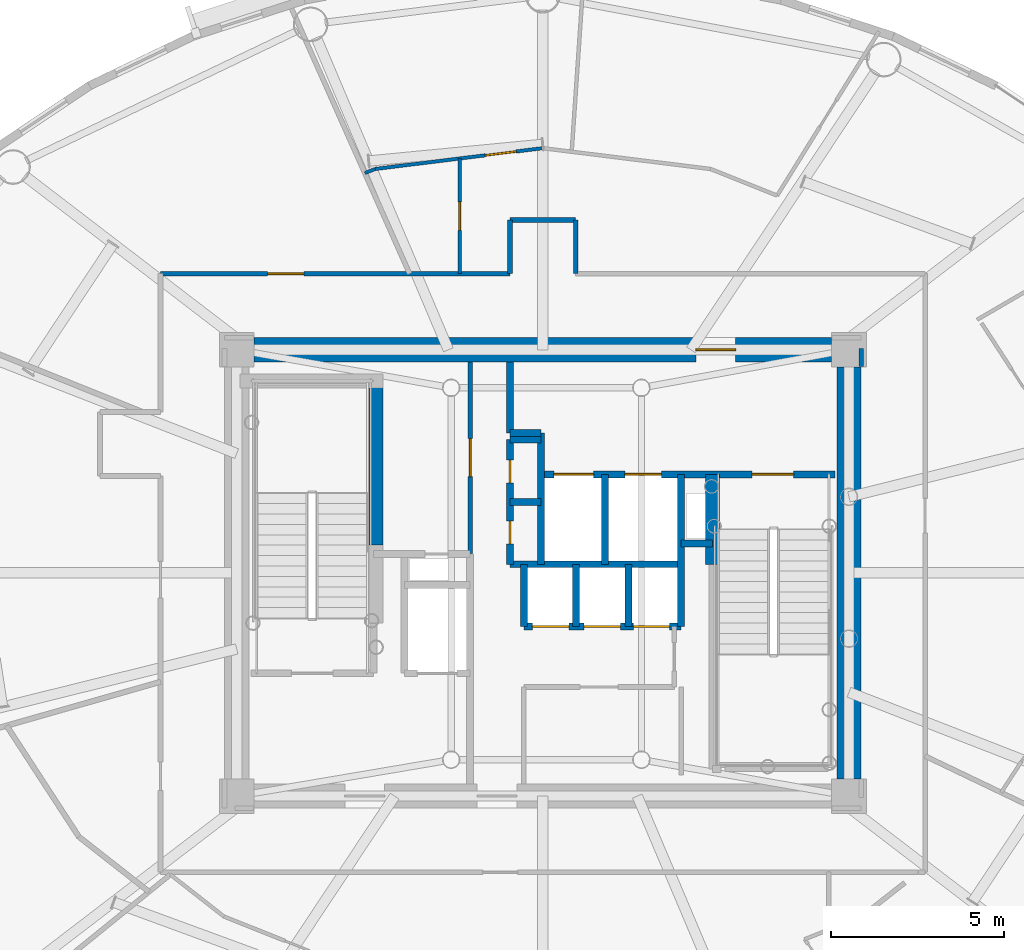
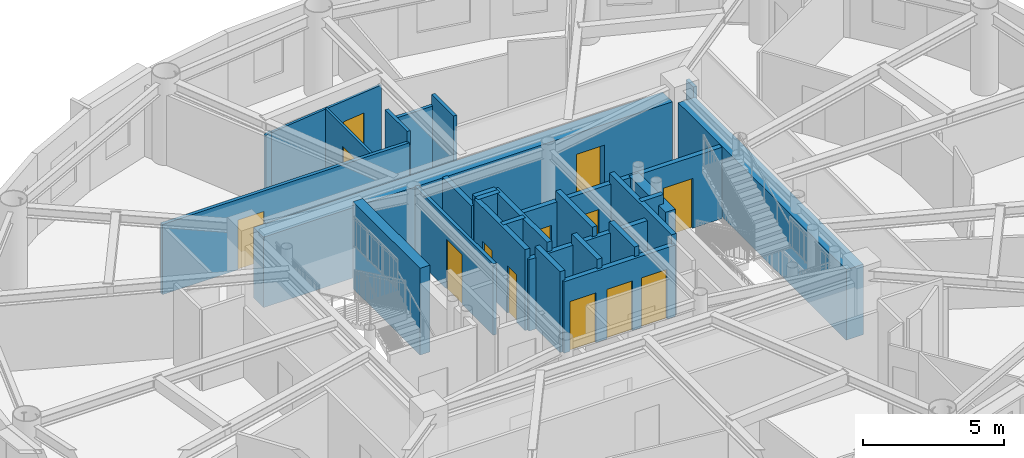
# One storey, part 8 of 16: 28 walls, 13 doors, 13 openings.
"""IFC4 building model written with IfcOpenShell, lengths in metres."""

from ifc_helpers import new_model, si_unit, direction, frame, frame_2d, origin, origin_2d, place, context, subcontext, project, spatial, rectangle, extrude, source, transform, mapped, material, layer, layer_set, type_object, element, fill, save


model = new_model("IFC4")

# Units and contexts
model_context = context("Model", 3, precision=1e-05, world=origin(), true_north=direction((0.0, 1.0)))
body_context = subcontext(model_context, "Body", "Model", "MODEL_VIEW")
ifc_project = project(units=[si_unit("LENGTHUNIT", "METRE"), si_unit("AREAUNIT", "SQUARE_METRE"), si_unit("VOLUMEUNIT", "CUBIC_METRE"), si_unit("PLANEANGLEUNIT", "RADIAN"), si_unit("MASSUNIT", "GRAM", prefix="KILO")], contexts=[model_context])

# Site, building, storey
site_placement = place(None, origin())
site = spatial("IfcSite", under=ifc_project, at=site_placement, CompositionType="ELEMENT")
building_placement = place(site_placement, origin())
building = spatial("IfcBuilding", under=site, at=building_placement, Name="Linh Dai School and Residence Tower", CompositionType="ELEMENT")
storey_placement = place(building_placement, frame((0.0, 0.0, 306.75)))
storey = spatial("IfcBuildingStorey", under=building, at=storey_placement, Name="L76", CompositionType="ELEMENT", Elevation=306.75)

# Wall, opening, door
ifc_material_1 = material(Name="Autoclaved Aerated Concrete Blockwork", Category="masonry")
ifc_layer_1 = layer(ifc_material_1, 0.135009765625)
ifc_layer_set_1 = layer_set([ifc_layer_1], Name="Autoclaved Aerated Concrete Blockwork")
wall_type_1 = type_object("IfcWallType", Name="IW-CORR-135-EI90", PredefinedType="PARTITIONING", material=ifc_layer_set_1)
wall_1_placement = place(storey_placement, frame((24.949951171875, 35.64990234375, 0.0), z_axis=(0.0, 0.0, 1.0), x_axis=(1.0, 0.0, 0.0)))
wall_1 = element("IfcWall", 1, at=wall_1_placement, inside=storey, type_object=wall_type_1, Name="L76 Interior Partition Wall 012", PredefinedType="PARTITIONING", context=body_context, shape_type="SweptSolid", body=[
    extrude(rectangle(XDim=10.10009765625, YDim=0.135009765625, at=frame_2d((5.050048828125, 0.0))), origin(), (0.0, 0.0, 1.0), 3.034912109375),
])
opening_1_placement = place(wall_1_placement, frame((3.094482421875, 0.0, 0.0)))
opening_1 = element("IfcOpeningElement", 2, at=opening_1_placement, cuts=wall_1, Name="Opening D04", PredefinedType="OPENING", context=body_context, shape_type="SweptSolid", body=[
    extrude(rectangle(XDim=1.050048828125, YDim=2.14990234375, at=origin_2d()), frame((0.52490234375, 0.07763671875, 1.074951171875), z_axis=(0.0, -1.0, 0.0), x_axis=(1.0, 0.0, 0.0)), (0.0, 0.0, 1.0), 0.155029296875),
])
ifc_material_2 = material(Name="Acoustic Vision-Panel Timber Classroom Door", Category="wood")
door_type_1 = type_object("IfcDoorType", Name="DR-SCH-1050x2150-FD60S", OperationType="NOTDEFINED", PredefinedType="DOOR", material=ifc_material_2)
shared_shape_1 = source(origin(), body_context, "Body", "SweptSolid", [
    extrude(rectangle(XDim=1.050048828125, YDim=2.14990234375, at=origin_2d()), frame((0.52490234375, 0.02490234375, 1.074951171875), z_axis=(0.0, -1.0, 0.0), x_axis=(1.0, 0.0, 0.0)), (0.0, 0.0, 1.0), 0.050048828125),
])
door_1_placement = place(opening_1_placement, origin())
door_1 = element("IfcDoor", 3, at=door_1_placement, inside=storey, type_object=door_type_1, Name="L76 High-Zone Resident Gallery Door", OperationType="SINGLE_SWING_RIGHT", OverallHeight=2.14990234375, OverallWidth=1.050048828125, PredefinedType="DOOR", context=body_context, shape_type="MappedRepresentation", body=[
    mapped(shared_shape_1, transform((0.0, 0.0, 0.0), x_axis=(1.0, 0.0, 0.0), y_axis=(0.0, 1.0, 0.0), z_axis=(0.0, 0.0, 1.0), scale=1.0)),
])
fill(opening_1, door_1)

wall_2_placement = place(storey_placement, frame((33.89990234375, 27.56005859375, 0.0), z_axis=(0.0, 0.0, 1.0), x_axis=(0.0, 1.0, 0.0)))
wall_2 = element("IfcWall", 4, at=wall_2_placement, inside=storey, type_object=wall_type_1, Name="L76 Interior Partition Wall 028", PredefinedType="PARTITIONING", context=body_context, shape_type="SweptSolid", body=[
    extrude(rectangle(XDim=5.5400390625, YDim=0.135009765625, at=frame_2d((2.77001953125, 0.0))), origin(), (0.0, 0.0, 1.0), 3.0849609375),
])
opening_2_placement = place(wall_2_placement, frame((2.219970703125, 0.0, 0.0)))
opening_2 = element("IfcOpeningElement", 5, at=opening_2_placement, cuts=wall_2, Name="Opening D07", PredefinedType="OPENING", context=body_context, shape_type="SweptSolid", body=[
    extrude(rectangle(XDim=1.10009765625, YDim=2.14990234375, at=origin_2d()), frame((0.550048828125, 0.07763671875, 1.074951171875), z_axis=(0.0, -1.0, 0.0), x_axis=(1.0, 0.0, 0.0)), (0.0, 0.0, 1.0), 0.155029296875),
])
ifc_material_3 = material(Name="Fire-Rated Louvred Steel Plant Door", Category="steel")
door_type_2 = type_object("IfcDoorType", Name="DR-PLT-1100x2150-FD60S", OperationType="NOTDEFINED", PredefinedType="DOOR", material=ifc_material_3)
shared_shape_2 = source(origin(), body_context, "Body", "SweptSolid", [
    extrude(rectangle(XDim=1.10009765625, YDim=2.14990234375, at=origin_2d()), frame((0.550048828125, 0.02490234375, 1.074951171875), z_axis=(0.0, -1.0, 0.0), x_axis=(1.0, 0.0, 0.0)), (0.0, 0.0, 1.0), 0.050048828125),
])
door_2_placement = place(opening_2_placement, origin())
door_2 = element("IfcDoor", 6, at=door_2_placement, inside=storey, type_object=door_type_2, Name="L76 High-Zone Housekeeping Suite Door", OperationType="SINGLE_SWING_RIGHT", OverallHeight=2.14990234375, OverallWidth=1.10009765625, PredefinedType="DOOR", context=body_context, shape_type="MappedRepresentation", body=[
    mapped(shared_shape_2, transform((0.0, 0.0, 0.0), x_axis=(1.0, 0.0, 0.0), y_axis=(0.0, 1.0, 0.0), z_axis=(0.0, 0.0, 1.0), scale=1.0)),
])
fill(opening_2, door_2)

# Walls
wall_3_placement = place(storey_placement, frame((35.050048828125, 35.64990234375, 0.0), z_axis=(0.0, 0.0, 1.0), x_axis=(0.0, 1.0, 0.0)))
element("IfcWall", 7, at=wall_3_placement, inside=storey, type_object=wall_type_1, Name="L76 Interior Partition Wall 035", PredefinedType="PARTITIONING", context=body_context, shape_type="SweptSolid", body=[
    extrude(rectangle(XDim=1.550048828125, YDim=0.135009765625, at=frame_2d((0.77490234375, 0.0))), origin(), (0.0, 0.0, 1.0), 3.5),
])
wall_4_placement = place(storey_placement, frame((35.050048828125, 37.199951171875, 0.0), z_axis=(0.0, 0.0, 1.0), x_axis=(1.0, 0.0, 0.0)))
element("IfcWall", 8, at=wall_4_placement, inside=storey, type_object=wall_type_1, Name="L76 Interior Partition Wall 036", PredefinedType="PARTITIONING", context=body_context, shape_type="SweptSolid", body=[
    extrude(rectangle(XDim=1.89990234375, YDim=0.135009765625, at=frame_2d((0.949951171875, 0.0))), origin(), (0.0, 0.0, 1.0), 3.034912109375),
])
wall_5_placement = place(storey_placement, frame((36.949951171875, 35.64990234375, 0.0), z_axis=(0.0, 0.0, 1.0), x_axis=(0.0, 1.0, 0.0)))
element("IfcWall", 9, at=wall_5_placement, inside=storey, type_object=wall_type_1, Name="L76 Interior Partition Wall 046", PredefinedType="PARTITIONING", context=body_context, shape_type="SweptSolid", body=[
    extrude(rectangle(XDim=1.550048828125, YDim=0.135009765625, at=frame_2d((0.77490234375, 0.0))), origin(), (0.0, 0.0, 1.0), 3.5),
])
wall_6_placement = place(storey_placement, frame((45.199951171875, 32.9599609375, 0.0), z_axis=(0.0, 0.0, 1.0), x_axis=(0.0, 1.0, 0.0)))
element("IfcWall", 10, at=wall_6_placement, inside=storey, type_object=wall_type_1, Name="L76 Interior Partition Wall 083", PredefinedType="PARTITIONING", context=body_context, shape_type="SweptSolid", body=[
    extrude(rectangle(XDim=0.532470703125, YDim=0.135009765625, at=frame_2d((0.26611328125, 0.0))), origin(), (0.0, 0.0, 1.0), 3.5),
])

# Wall, openings, doors
ifc_material_4 = material(Name="Concrete B45 (C35/45)", Category="concrete")
ifc_layer_2 = layer(ifc_material_4, 0.199951171875)
ifc_layer_set_2 = layer_set([ifc_layer_2], Name="Concrete B45 (C35/45)")
wall_type_2 = type_object("IfcWallType", Name="IW-SHAFT-200-EI120", PredefinedType="PARTITIONING", material=ifc_layer_set_2)
wall_7_placement = place(storey_placement, frame((35.050048828125, 27.25, 0.0), z_axis=(0.0, 0.0, 1.0), x_axis=(0.0, 1.0, 0.0)))
wall_7 = element("IfcWall", 11, at=wall_7_placement, inside=storey, type_object=wall_type_2, Name="L76 Interior Partition Wall 029", PredefinedType="PARTITIONING", context=body_context, shape_type="SweptSolid", body=[
    extrude(rectangle(XDim=3.60009765625, YDim=0.199951171875, at=frame_2d((1.800048828125, 0.0))), origin(), (0.0, 0.0, 1.0), 3.5),
])
opening_3_placement = place(wall_7_placement, frame((0.590087890625, 0.0, 0.0)))
opening_3 = element("IfcOpeningElement", 12, at=opening_3_placement, cuts=wall_7, Name="Opening AD1", PredefinedType="OPENING", context=body_context, shape_type="SweptSolid", body=[
    extrude(rectangle(XDim=0.659912109375, YDim=2.050048828125, at=origin_2d()), frame((0.330078125, 0.10986328125, 1.02490234375), z_axis=(0.0, -1.0, 0.0), x_axis=(1.0, 0.0, 0.0)), (0.0, 0.0, 1.0), 0.219970703125),
])
opening_4_placement = place(wall_7_placement, frame((2.35009765625, 0.0, 0.0)))
opening_4 = element("IfcOpeningElement", 13, at=opening_4_placement, cuts=wall_7, Name="Opening AD1", PredefinedType="OPENING", context=body_context, shape_type="SweptSolid", body=[
    extrude(rectangle(XDim=0.659912109375, YDim=2.050048828125, at=origin_2d()), frame((0.330078125, 0.10986328125, 1.02490234375), z_axis=(0.0, -1.0, 0.0), x_axis=(1.0, 0.0, 0.0)), (0.0, 0.0, 1.0), 0.219970703125),
])
ifc_material_5 = material(Name="Fire-Rated Steel Riser Access Door", Category="steel")
door_type_3 = type_object("IfcDoorType", Name="DR-ACC-660x2050-FD90S", OperationType="NOTDEFINED", PredefinedType="USERDEFINED", material=ifc_material_5)
shared_shape_3 = source(origin(), body_context, "Body", "SweptSolid", [
    extrude(rectangle(XDim=0.659912109375, YDim=2.050048828125, at=origin_2d()), frame((0.330078125, 0.02490234375, 1.02490234375), z_axis=(0.0, -1.0, 0.0), x_axis=(1.0, 0.0, 0.0)), (0.0, 0.0, 1.0), 0.050048828125),
])
door_3_placement = place(opening_3_placement, origin())
door_3 = element("IfcDoor", 14, at=door_3_placement, inside=storey, type_object=door_type_3, Name="L76 Telecom and Data Riser Access Door", ObjectType="ACCESS DOOR", OperationType="SINGLE_SWING_LEFT", OverallHeight=2.050048828125, OverallWidth=0.659912109375, PredefinedType="USERDEFINED", context=body_context, shape_type="MappedRepresentation", body=[
    mapped(shared_shape_3, transform((0.0, 0.0, 0.0), x_axis=(1.0, 0.0, 0.0), y_axis=(0.0, 1.0, 0.0), z_axis=(0.0, 0.0, 1.0), scale=1.0)),
])
fill(opening_3, door_3)
door_4_placement = place(opening_4_placement, origin())
door_4 = element("IfcDoor", 15, at=door_4_placement, inside=storey, type_object=door_type_3, Name="L76 Mechanical and Plumbing Riser Access Door", ObjectType="ACCESS DOOR", OperationType="SINGLE_SWING_RIGHT", OverallHeight=2.050048828125, OverallWidth=0.659912109375, PredefinedType="USERDEFINED", context=body_context, shape_type="MappedRepresentation", body=[
    mapped(shared_shape_3, transform((0.0, 0.0, 0.0), x_axis=(1.0, 0.0, 0.0), y_axis=(0.0, 1.0, 0.0), z_axis=(0.0, 0.0, 1.0), scale=1.0)),
])
fill(opening_4, door_4)

# Walls
wall_8_placement = place(storey_placement, frame((35.050048828125, 27.25, 0.0), z_axis=(0.0, 0.0, 1.0), x_axis=(1.0, 0.0, 0.0)))
element("IfcWall", 16, at=wall_8_placement, inside=storey, type_object=wall_type_2, Name="L76 Interior Partition Wall 030", PredefinedType="PARTITIONING", context=body_context, shape_type="SweptSolid", body=[
    extrude(rectangle(XDim=4.949951171875, YDim=0.199951171875, at=frame_2d((2.47509765625, 0.0))), origin(), (0.0, 0.0, 1.0), 3.0849609375),
])
for number, where, z_axis, x_axis, name in (
    (17, (35.050048828125, 29.050048828125, 0.0), (0.0, 0.0, 1.0), (1.0, 0.0, 0.0), "L76 Interior Partition Wall 031"),
    (18, (35.050048828125, 30.85009765625, 0.0), (0.0, 0.0, 1.0), (1.0, 0.0, 0.0), "L76 Interior Partition Wall 032"),
):
    element("IfcWall", number, at=place(storey_placement, frame(where, z_axis=z_axis, x_axis=x_axis)), inside=storey, type_object=wall_type_2, Name=name, PredefinedType="PARTITIONING", context=body_context, shape_type="SweptSolid", body=[
        extrude(rectangle(XDim=0.89990234375, YDim=0.199951171875, at=frame_2d((0.449951171875, 0.0))), origin(), (0.0, 0.0, 1.0), 3.5),
    ])
wall_9_placement = place(storey_placement, frame((35.050048828125, 31.050048828125, 0.0), z_axis=(0.0, 0.0, 1.0), x_axis=(0.0, 1.0, 0.0)))
element("IfcWall", 19, at=wall_9_placement, inside=storey, type_object=wall_type_2, Name="L76 Interior Partition Wall 033", PredefinedType="PARTITIONING", context=body_context, shape_type="SweptSolid", body=[
    extrude(rectangle(XDim=2.050048828125, YDim=0.199951171875, at=frame_2d((1.02490234375, 0.0))), origin(), (0.0, 0.0, 1.0), 3.0849609375),
])
wall_10_placement = place(storey_placement, frame((35.050048828125, 31.050048828125, 0.0), z_axis=(0.0, 0.0, 1.0), x_axis=(1.0, 0.0, 0.0)))
element("IfcWall", 20, at=wall_10_placement, inside=storey, type_object=wall_type_2, Name="L76 Interior Partition Wall 034", PredefinedType="PARTITIONING", context=body_context, shape_type="SweptSolid", body=[
    extrude(rectangle(XDim=0.89990234375, YDim=0.199951171875, at=frame_2d((0.449951171875, 0.0))), origin(), (0.0, 0.0, 1.0), 3.5),
])
wall_11_placement = place(storey_placement, frame((35.449951171875, 25.449951171875, 0.0), z_axis=(0.0, 0.0, 1.0), x_axis=(0.0, 1.0, 0.0)))
element("IfcWall", 21, at=wall_11_placement, inside=storey, type_object=wall_type_2, Name="L76 Interior Partition Wall 039", PredefinedType="PARTITIONING", context=body_context, shape_type="SweptSolid", body=[
    extrude(rectangle(XDim=1.800048828125, YDim=0.199951171875, at=frame_2d((0.89990234375, 0.0))), origin(), (0.0, 0.0, 1.0), 3.5),
])

# Wall, openings, doors
wall_12_placement = place(storey_placement, frame((35.449951171875, 25.449951171875, 0.0), z_axis=(0.0, 0.0, 1.0), x_axis=(1.0, 0.0, 0.0)))
wall_12 = element("IfcWall", 22, at=wall_12_placement, inside=storey, type_object=wall_type_2, Name="L76 Interior Partition Wall 040", PredefinedType="PARTITIONING", context=body_context, shape_type="SweptSolid", body=[
    extrude(rectangle(XDim=4.550048828125, YDim=0.199951171875, at=frame_2d((2.27490234375, 0.0))), origin(), (0.0, 0.0, 1.0), 3.0849609375),
])
opening_5_placement = place(wall_12_placement, frame((0.25, 0.0, 0.0)))
opening_5 = element("IfcOpeningElement", 23, at=opening_5_placement, cuts=wall_12, Name="Opening LD-PL7", PredefinedType="OPENING", context=body_context, shape_type="SweptSolid", body=[
    extrude(rectangle(XDim=1.050048828125, YDim=2.14990234375, at=origin_2d()), frame((0.52490234375, 0.10986328125, 1.074951171875), z_axis=(0.0, -1.0, 0.0), x_axis=(1.0, 0.0, 0.0)), (0.0, 0.0, 1.0), 0.219970703125),
])
opening_6_placement = place(wall_12_placement, frame((1.7451171875, 0.0, 0.0)))
opening_6 = element("IfcOpeningElement", 24, at=opening_6_placement, cuts=wall_12, Name="Opening LD-PL8", PredefinedType="OPENING", context=body_context, shape_type="SweptSolid", body=[
    extrude(rectangle(XDim=1.050048828125, YDim=2.14990234375, at=origin_2d()), frame((0.52490234375, 0.10986328125, 1.074951171875), z_axis=(0.0, -1.0, 0.0), x_axis=(1.0, 0.0, 0.0)), (0.0, 0.0, 1.0), 0.219970703125),
])
opening_7_placement = place(wall_12_placement, frame((3.1650390625, 0.0, 0.0)))
opening_7 = element("IfcOpeningElement", 25, at=opening_7_placement, cuts=wall_12, Name="Opening LD-PL9", PredefinedType="OPENING", context=body_context, shape_type="SweptSolid", body=[
    extrude(rectangle(XDim=1.050048828125, YDim=2.14990234375, at=origin_2d()), frame((0.52490234375, 0.10986328125, 1.074951171875), z_axis=(0.0, -1.0, 0.0), x_axis=(1.0, 0.0, 0.0)), (0.0, 0.0, 1.0), 0.219970703125),
])
ifc_material_6 = material(Name="Brushed Stainless Steel Lift Landing Door", Category="steel")
door_type_4 = type_object("IfcDoorType", Name="DR-LD-PASS-1050x2150", OperationType="DOUBLE_DOOR_SLIDING", PredefinedType="USERDEFINED", material=ifc_material_6)
shared_shape_4 = source(origin(), body_context, "Body", "SweptSolid", [
    extrude(rectangle(XDim=1.050048828125, YDim=2.14990234375, at=origin_2d()), frame((0.52490234375, 0.02490234375, 1.074951171875), z_axis=(0.0, -1.0, 0.0), x_axis=(1.0, 0.0, 0.0)), (0.0, 0.0, 1.0), 0.050048828125),
])
door_5_placement = place(opening_5_placement, origin())
door_5 = element("IfcDoor", 26, at=door_5_placement, inside=storey, type_object=door_type_4, Name="L76 Lift PL7 Sliding Landing Door", ObjectType="LANDING DOOR", OperationType="DOUBLE_DOOR_SLIDING", OverallHeight=2.14990234375, OverallWidth=1.050048828125, PredefinedType="USERDEFINED", context=body_context, shape_type="MappedRepresentation", body=[
    mapped(shared_shape_4, transform((0.0, 0.0, 0.0), x_axis=(1.0, 0.0, 0.0), y_axis=(0.0, 1.0, 0.0), z_axis=(0.0, 0.0, 1.0), scale=1.0)),
])
fill(opening_5, door_5)
door_6_placement = place(opening_6_placement, origin())
door_6 = element("IfcDoor", 27, at=door_6_placement, inside=storey, type_object=door_type_4, Name="L76 Lift PL8 Sliding Landing Door", ObjectType="LANDING DOOR", OperationType="DOUBLE_DOOR_SLIDING", OverallHeight=2.14990234375, OverallWidth=1.050048828125, PredefinedType="USERDEFINED", context=body_context, shape_type="MappedRepresentation", body=[
    mapped(shared_shape_4, transform((0.0, 0.0, 0.0), x_axis=(1.0, 0.0, 0.0), y_axis=(0.0, 1.0, 0.0), z_axis=(0.0, 0.0, 1.0), scale=1.0)),
])
fill(opening_6, door_6)
door_7_placement = place(opening_7_placement, origin())
door_7 = element("IfcDoor", 28, at=door_7_placement, inside=storey, type_object=door_type_4, Name="L76 Lift PL9 Sliding Landing Door", ObjectType="LANDING DOOR", OperationType="DOUBLE_DOOR_SLIDING", OverallHeight=2.14990234375, OverallWidth=1.050048828125, PredefinedType="USERDEFINED", context=body_context, shape_type="MappedRepresentation", body=[
    mapped(shared_shape_4, transform((0.0, 0.0, 0.0), x_axis=(1.0, 0.0, 0.0), y_axis=(0.0, 1.0, 0.0), z_axis=(0.0, 0.0, 1.0), scale=1.0)),
])
fill(opening_7, door_7)

# Wall
wall_13_placement = place(storey_placement, frame((35.949951171875, 27.25, 0.0), z_axis=(0.0, 0.0, 1.0), x_axis=(0.0, 1.0, 0.0)))
element("IfcWall", 29, at=wall_13_placement, inside=storey, type_object=wall_type_2, Name="L76 Interior Partition Wall 041", PredefinedType="PARTITIONING", context=body_context, shape_type="SweptSolid", body=[
    extrude(rectangle(XDim=3.800048828125, YDim=0.199951171875, at=frame_2d((1.89990234375, 0.0))), origin(), (0.0, 0.0, 1.0), 3.5),
])

# Wall, openings, doors
wall_14_placement = place(storey_placement, frame((35.949951171875, 29.85009765625, 0.0), z_axis=(0.0, 0.0, 1.0), x_axis=(1.0, 0.0, 0.0)))
wall_14 = element("IfcWall", 30, at=wall_14_placement, inside=storey, type_object=wall_type_2, Name="L76 Interior Partition Wall 042", PredefinedType="PARTITIONING", context=body_context, shape_type="SweptSolid", body=[
    extrude(rectangle(XDim=8.489990234375, YDim=0.199951171875, at=frame_2d((4.2451171875, 0.0))), origin(), (0.0, 0.0, 1.0), 3.0849609375),
])
opening_8_placement = place(wall_14_placement, frame((6.10009765625, 0.0, 0.0)))
opening_8 = element("IfcOpeningElement", 31, at=opening_8_placement, cuts=wall_14, Name="Opening D01", PredefinedType="OPENING", context=body_context, shape_type="SweptSolid", body=[
    extrude(rectangle(XDim=1.199951171875, YDim=2.14990234375, at=origin_2d()), frame((0.60009765625, 0.10986328125, 1.074951171875), z_axis=(0.0, -1.0, 0.0), x_axis=(1.0, 0.0, 0.0)), (0.0, 0.0, 1.0), 0.219970703125),
])
opening_9_placement = place(wall_14_placement, frame((0.3701171875, 0.0, 0.0)))
opening_9 = element("IfcOpeningElement", 32, at=opening_9_placement, cuts=wall_14, Name="Opening LD-FF1", PredefinedType="OPENING", context=body_context, shape_type="SweptSolid", body=[
    extrude(rectangle(XDim=1.14990234375, YDim=2.14990234375, at=origin_2d()), frame((0.574951171875, 0.10986328125, 1.074951171875), z_axis=(0.0, -1.0, 0.0), x_axis=(1.0, 0.0, 0.0)), (0.0, 0.0, 1.0), 0.219970703125),
])
opening_10_placement = place(wall_14_placement, frame((2.425048828125, 0.0, 0.0)))
opening_10 = element("IfcOpeningElement", 33, at=opening_10_placement, cuts=wall_14, Name="Opening LD-SV1", PredefinedType="OPENING", context=body_context, shape_type="SweptSolid", body=[
    extrude(rectangle(XDim=1.050048828125, YDim=2.14990234375, at=origin_2d()), frame((0.52490234375, 0.10986328125, 1.074951171875), z_axis=(0.0, -1.0, 0.0), x_axis=(1.0, 0.0, 0.0)), (0.0, 0.0, 1.0), 0.219970703125),
])
ifc_material_7 = material(Name="Fire-Rated Steel Door Leaf", Category="steel")
door_type_5 = type_object("IfcDoorType", Name="DR-STAIR-1200x2150-FD90S", OperationType="NOTDEFINED", PredefinedType="DOOR", material=ifc_material_7)
shared_shape_5 = source(origin(), body_context, "Body", "SweptSolid", [
    extrude(rectangle(XDim=1.199951171875, YDim=2.14990234375, at=origin_2d()), frame((0.60009765625, 0.02490234375, 1.074951171875), z_axis=(0.0, -1.0, 0.0), x_axis=(1.0, 0.0, 0.0)), (0.0, 0.0, 1.0), 0.050048828125),
])
door_8_placement = place(opening_8_placement, origin())
door_8 = element("IfcDoor", 34, at=door_8_placement, inside=storey, type_object=door_type_5, Name="L76 Core Smokeproof Exit Stair ST2 Door", OperationType="SINGLE_SWING_LEFT", OverallHeight=2.14990234375, OverallWidth=1.199951171875, PredefinedType="DOOR", context=body_context, shape_type="MappedRepresentation", body=[
    mapped(shared_shape_5, transform((0.0, 0.0, 0.0), x_axis=(1.0, 0.0, 0.0), y_axis=(0.0, 1.0, 0.0), z_axis=(0.0, 0.0, 1.0), scale=1.0)),
])
fill(opening_8, door_8)
ifc_material_8 = material(Name="Fire-Rated Stainless Steel Firefighting Lift Door", Category="steel")
door_type_6 = type_object("IfcDoorType", Name="DR-LD-FF-1150x2150-FD120", OperationType="DOUBLE_DOOR_SLIDING", PredefinedType="USERDEFINED", material=ifc_material_8)
shared_shape_6 = source(origin(), body_context, "Body", "SweptSolid", [
    extrude(rectangle(XDim=1.14990234375, YDim=2.14990234375, at=origin_2d()), frame((0.574951171875, 0.02490234375, 1.074951171875), z_axis=(0.0, -1.0, 0.0), x_axis=(1.0, 0.0, 0.0)), (0.0, 0.0, 1.0), 0.050048828125),
])
door_9_placement = place(opening_9_placement, origin())
door_9 = element("IfcDoor", 35, at=door_9_placement, inside=storey, type_object=door_type_6, Name="L76 Lift FF1 Sliding Landing Door", ObjectType="LANDING DOOR", OperationType="DOUBLE_DOOR_SLIDING", OverallHeight=2.14990234375, OverallWidth=1.14990234375, PredefinedType="USERDEFINED", context=body_context, shape_type="MappedRepresentation", body=[
    mapped(shared_shape_6, transform((0.0, 0.0, 0.0), x_axis=(1.0, 0.0, 0.0), y_axis=(0.0, 1.0, 0.0), z_axis=(0.0, 0.0, 1.0), scale=1.0)),
])
fill(opening_9, door_9)
door_10_placement = place(opening_10_placement, origin())
door_10 = element("IfcDoor", 36, at=door_10_placement, inside=storey, type_object=door_type_4, Name="L76 Lift SV1 Sliding Landing Door", ObjectType="LANDING DOOR", OperationType="DOUBLE_DOOR_SLIDING", OverallHeight=2.14990234375, OverallWidth=1.050048828125, PredefinedType="USERDEFINED", context=body_context, shape_type="MappedRepresentation", body=[
    mapped(shared_shape_4, transform((0.0, 0.0, 0.0), x_axis=(1.0, 0.0, 0.0), y_axis=(0.0, 1.0, 0.0), z_axis=(0.0, 0.0, 1.0), scale=1.0)),
])
fill(opening_10, door_10)

# Walls
wall_15_placement = place(storey_placement, frame((36.9599609375, 25.449951171875, 0.0), z_axis=(0.0, 0.0, 1.0), x_axis=(0.0, 1.0, 0.0)))
element("IfcWall", 37, at=wall_15_placement, inside=storey, type_object=wall_type_2, Name="L76 Interior Partition Wall 048", PredefinedType="PARTITIONING", context=body_context, shape_type="SweptSolid", body=[
    extrude(rectangle(XDim=1.800048828125, YDim=0.199951171875, at=frame_2d((0.89990234375, 0.0))), origin(), (0.0, 0.0, 1.0), 3.5),
])
wall_16_placement = place(storey_placement, frame((37.800048828125, 27.25, 0.0), z_axis=(0.0, 0.0, 1.0), x_axis=(0.0, 1.0, 0.0)))
element("IfcWall", 38, at=wall_16_placement, inside=storey, type_object=wall_type_2, Name="L76 Interior Partition Wall 050", PredefinedType="PARTITIONING", context=body_context, shape_type="SweptSolid", body=[
    extrude(rectangle(XDim=2.60009765625, YDim=0.199951171875, at=frame_2d((1.300048828125, 0.0))), origin(), (0.0, 0.0, 1.0), 3.5),
])
wall_17_placement = place(storey_placement, frame((38.47998046875, 25.449951171875, 0.0), z_axis=(0.0, 0.0, 1.0), x_axis=(0.0, 1.0, 0.0)))
element("IfcWall", 39, at=wall_17_placement, inside=storey, type_object=wall_type_2, Name="L76 Interior Partition Wall 052", PredefinedType="PARTITIONING", context=body_context, shape_type="SweptSolid", body=[
    extrude(rectangle(XDim=1.800048828125, YDim=0.199951171875, at=frame_2d((0.89990234375, 0.0))), origin(), (0.0, 0.0, 1.0), 3.5),
])
wall_18_placement = place(storey_placement, frame((40.0, 25.449951171875, 0.0), z_axis=(0.0, 0.0, 1.0), x_axis=(0.0, 1.0, 0.0)))
element("IfcWall", 40, at=wall_18_placement, inside=storey, type_object=wall_type_2, Name="L76 Interior Partition Wall 054", PredefinedType="PARTITIONING", context=body_context, shape_type="SweptSolid", body=[
    extrude(rectangle(XDim=4.400146484375, YDim=0.199951171875, at=frame_2d((2.2001953125, 0.0))), origin(), (0.0, 0.0, 1.0), 3.5),
])
wall_19_placement = place(storey_placement, frame((40.0, 27.85009765625, 0.0), z_axis=(0.0, 0.0, 1.0), x_axis=(1.0, 0.0, 0.0)))
element("IfcWall", 41, at=wall_19_placement, inside=storey, type_object=wall_type_2, Name="L76 Interior Partition Wall 055", PredefinedType="PARTITIONING", context=body_context, shape_type="SweptSolid", body=[
    extrude(rectangle(XDim=0.89990234375, YDim=0.199951171875, at=frame_2d((0.449951171875, 0.0))), origin(), (0.0, 0.0, 1.0), 3.5),
])
ifc_material_9 = material(Name="Gypsum Plasterboard Acoustic Stud Partition", Category="masonry")
ifc_layer_3 = layer(ifc_material_9, 0.10009765625)
ifc_layer_set_3 = layer_set([ifc_layer_3], Name="Gypsum Plasterboard Acoustic Stud Partition")
wall_type_3 = type_object("IfcWallType", Name="IW-UNIT-100", PredefinedType="PARTITIONING", material=ifc_layer_set_3)
wall_20_placement = place(storey_placement, frame((30.854248046875, 38.557373046875, 0.0), z_axis=(0.0, 0.0, 1.0), x_axis=(0.928996661722, 0.370088101011, 0.0)))
element("IfcWall", 42, at=wall_20_placement, inside=storey, type_object=wall_type_3, Name="L76 Interior Partition Wall 018", PredefinedType="PARTITIONING", context=body_context, shape_type="SweptSolid", body=[
    extrude(rectangle(XDim=0.3232421875, YDim=0.10009765625, at=frame_2d((0.16162109375, 0.0))), origin(), (0.0, 0.0, 1.0), 3.034912109375),
])

# Wall, opening, door
wall_21_placement = place(storey_placement, frame((31.154541015625, 38.677001953125, 0.0), z_axis=(0.0, 0.0, 1.0), x_axis=(0.99239360053, 0.123105408601, 0.0)))
wall_21 = element("IfcWall", 43, at=wall_21_placement, inside=storey, type_object=wall_type_3, Name="L76 Interior Partition Wall 021", PredefinedType="PARTITIONING", context=body_context, shape_type="SweptSolid", body=[
    extrude(rectangle(XDim=4.882568359375, YDim=0.10009765625, at=frame_2d((2.44140625, 0.0))), origin(), (0.0, 0.0, 1.0), 2.985107421875),
])
opening_11_placement = place(wall_21_placement, frame((3.202880859375, 0.0, 0.0)))
opening_11 = element("IfcOpeningElement", 44, at=opening_11_placement, cuts=wall_21, Name="Opening D05", PredefinedType="OPENING", context=body_context, shape_type="SweptSolid", body=[
    extrude(rectangle(XDim=0.89990234375, YDim=2.10009765625, at=origin_2d()), frame((0.449951171875, 0.06005859375, 1.050048828125), z_axis=(0.0, -1.0, 0.0), x_axis=(1.0, 0.0, 0.0)), (0.0, 0.0, 1.0), 0.1201171875),
])
ifc_material_10 = material(Name="Engineered Timber Internal Door", Category="wood")
door_type_7 = type_object("IfcDoorType", Name="DR-INT-900x2100", OperationType="NOTDEFINED", PredefinedType="DOOR", material=ifc_material_10)
shared_shape_7 = source(origin(), body_context, "Body", "SweptSolid", [
    extrude(rectangle(XDim=0.89990234375, YDim=2.10009765625, at=origin_2d()), frame((0.449951171875, 0.02490234375, 1.050048828125), z_axis=(0.0, -1.0, 0.0), x_axis=(1.0, 0.0, 0.0)), (0.0, 0.0, 1.0), 0.050048828125),
])
door_11_placement = place(opening_11_placement, origin())
door_11 = element("IfcDoor", 45, at=door_11_placement, inside=storey, type_object=door_type_7, Name="L76 Apartment U7602 Bedroom 4 Door", OperationType="SINGLE_SWING_RIGHT", OverallHeight=2.10009765625, OverallWidth=0.89990234375, PredefinedType="DOOR", context=body_context, shape_type="MappedRepresentation", body=[
    mapped(shared_shape_7, transform((0.0, 0.0, 0.0), x_axis=(1.0, 0.0, 0.0), y_axis=(0.0, 1.0, 0.0), z_axis=(0.0, 0.0, 1.0), scale=1.0)),
])
fill(opening_11, door_11)

wall_22_placement = place(storey_placement, frame((33.59912109375, 35.64990234375, 0.0), z_axis=(0.0, 0.0, 1.0), x_axis=(0.0, 1.0, 0.0)))
wall_22 = element("IfcWall", 46, at=wall_22_placement, inside=storey, type_object=wall_type_3, Name="L76 Interior Partition Wall 026", PredefinedType="PARTITIONING", context=body_context, shape_type="SweptSolid", body=[
    extrude(rectangle(XDim=3.330322265625, YDim=0.10009765625, at=frame_2d((1.6650390625, 0.0))), origin(), (0.0, 0.0, 1.0), 2.985107421875),
])
opening_12_placement = place(wall_22_placement, frame((1.255126953125, 0.0, 0.0)))
opening_12 = element("IfcOpeningElement", 47, at=opening_12_placement, cuts=wall_22, Name="Opening D06", PredefinedType="OPENING", context=body_context, shape_type="SweptSolid", body=[
    extrude(rectangle(XDim=0.820068359375, YDim=2.10009765625, at=origin_2d()), frame((0.41015625, 0.06005859375, 1.050048828125), z_axis=(0.0, -1.0, 0.0), x_axis=(1.0, 0.0, 0.0)), (0.0, 0.0, 1.0), 0.1201171875),
])
ifc_material_11 = material(Name="Moisture-Resistant Timber Bathroom Door", Category="wood")
door_type_8 = type_object("IfcDoorType", Name="DR-WET-820x2100", OperationType="NOTDEFINED", PredefinedType="DOOR", material=ifc_material_11)
shared_shape_8 = source(origin(), body_context, "Body", "SweptSolid", [
    extrude(rectangle(XDim=0.820068359375, YDim=2.10009765625, at=origin_2d()), frame((0.41015625, 0.02490234375, 1.050048828125), z_axis=(0.0, -1.0, 0.0), x_axis=(1.0, 0.0, 0.0)), (0.0, 0.0, 1.0), 0.050048828125),
])
door_12_placement = place(opening_12_placement, origin())
door_12 = element("IfcDoor", 48, at=door_12_placement, inside=storey, type_object=door_type_8, Name="L76 Apartment U7602 Bathroom 1 Door", OperationType="SINGLE_SWING_LEFT", OverallHeight=2.10009765625, OverallWidth=0.820068359375, PredefinedType="DOOR", context=body_context, shape_type="MappedRepresentation", body=[
    mapped(shared_shape_8, transform((0.0, 0.0, 0.0), x_axis=(1.0, 0.0, 0.0), y_axis=(0.0, 1.0, 0.0), z_axis=(0.0, 0.0, 1.0), scale=1.0)),
])
fill(opening_12, door_12)

# Walls
ifc_layer_4 = layer(ifc_material_4, 0.39990234375)
ifc_layer_set_4 = layer_set([ifc_layer_4], Name="Concrete B45 (C35/45)")
wall_type_4 = type_object("IfcWallType", Name="WL-CORE400", PredefinedType="SHEAR", material=ifc_layer_set_4)
wall_23_placement = place(storey_placement, frame((31.179931640625, 27.800048828125, 0.0), z_axis=(0.0, 0.0, 1.0), x_axis=(0.0, 1.0, 0.0)))
element("IfcWall", 49, at=wall_23_placement, inside=storey, type_object=wall_type_4, Name="L76 Core Stair ST1 Bearing Wall E", PredefinedType="SHEAR", context=body_context, shape_type="SweptSolid", body=[
    extrude(rectangle(XDim=4.75, YDim=0.39990234375, at=frame_2d((2.375, 0.0))), origin(), (0.0, 0.0, 1.0), 3.75),
])
wall_24_placement = place(storey_placement, frame((40.89990234375, 27.25, 0.0), z_axis=(0.0, 0.0, 1.0), x_axis=(0.0, 1.0, 0.0)))
element("IfcWall", 50, at=wall_24_placement, inside=storey, type_object=wall_type_4, Name="L76 Internal Core Shear Wall IE", PredefinedType="SHEAR", context=body_context, shape_type="SweptSolid", body=[
    extrude(rectangle(XDim=2.60009765625, YDim=0.39990234375, at=frame_2d((1.300048828125, 0.0))), origin(), (0.0, 0.0, 1.0), 3.10009765625),
])

# Wall, opening, door
ifc_layer_5 = layer(ifc_material_4, 0.699951171875)
ifc_layer_set_5 = layer_set([ifc_layer_5], Name="Concrete B45 (C35/45)")
wall_type_5 = type_object("IfcWallType", Name="WL-CORE700", PredefinedType="SHEAR", material=ifc_layer_set_5)
wall_25_placement = place(storey_placement, frame((27.64990234375, 33.449951171875, 0.0), z_axis=(0.0, 0.0, 1.0), x_axis=(1.0, 0.0, 0.0)))
wall_25 = element("IfcWall", 51, at=wall_25_placement, inside=storey, type_object=wall_type_5, Name="L76 Central Core Shear Wall N", PredefinedType="SHEAR", context=body_context, shape_type="SweptSolid", body=[
    extrude(rectangle(XDim=16.7001953125, YDim=0.699951171875, at=frame_2d((8.35009765625, 0.0))), origin(), (0.0, 0.0, 1.0), 3.050048828125),
])
opening_13_placement = place(wall_25_placement, frame((12.77490234375, 0.0, 0.0)))
opening_13 = element("IfcOpeningElement", 52, at=opening_13_placement, cuts=wall_25, Name="Opening D02", PredefinedType="OPENING", context=body_context, shape_type="SweptSolid", body=[
    extrude(rectangle(XDim=1.14990234375, YDim=2.14990234375, at=origin_2d()), frame((0.574951171875, 0.35986328125, 1.074951171875), z_axis=(0.0, -1.0, 0.0), x_axis=(1.0, 0.0, 0.0)), (0.0, 0.0, 1.0), 0.719970703125),
])
ifc_material_12 = material(Name="Fire-Rated Glazed Steel Lobby Door", Category="steel")
door_type_9 = type_object("IfcDoorType", Name="DR-LOBBY-1150x2150-FD90S", OperationType="NOTDEFINED", PredefinedType="DOOR", material=ifc_material_12)
shared_shape_9 = source(origin(), body_context, "Body", "SweptSolid", [
    extrude(rectangle(XDim=1.14990234375, YDim=2.14990234375, at=origin_2d()), frame((0.574951171875, 0.02490234375, 1.074951171875), z_axis=(0.0, -1.0, 0.0), x_axis=(1.0, 0.0, 0.0)), (0.0, 0.0, 1.0), 0.050048828125),
])
door_13_placement = place(opening_13_placement, origin())
door_13 = element("IfcDoor", 53, at=door_13_placement, inside=storey, type_object=door_type_9, Name="L76 Firefighting Lobby Door", OperationType="SINGLE_SWING_RIGHT", OverallHeight=2.14990234375, OverallWidth=1.14990234375, PredefinedType="DOOR", context=body_context, shape_type="MappedRepresentation", body=[
    mapped(shared_shape_9, transform((0.0, 0.0, 0.0), x_axis=(1.0, 0.0, 0.0), y_axis=(0.0, 1.0, 0.0), z_axis=(0.0, 0.0, 1.0), scale=1.0)),
])
fill(opening_13, door_13)

# Wall
wall_26_placement = place(storey_placement, frame((44.85009765625, 32.949951171875, 0.0), z_axis=(0.0, 0.0, 1.0), x_axis=(0.0, -1.0, 0.0)))
element("IfcWall", 54, at=wall_26_placement, inside=storey, type_object=wall_type_5, Name="L76 Central Core Shear Wall E", PredefinedType="SHEAR", context=body_context, shape_type="SweptSolid", body=[
    extrude(rectangle(XDim=11.89990234375, YDim=0.699951171875, at=frame_2d((5.949951171875, 0.0))), origin(), (0.0, 0.0, 1.0), 3.050048828125),
])

save(model, "model.ifc")
